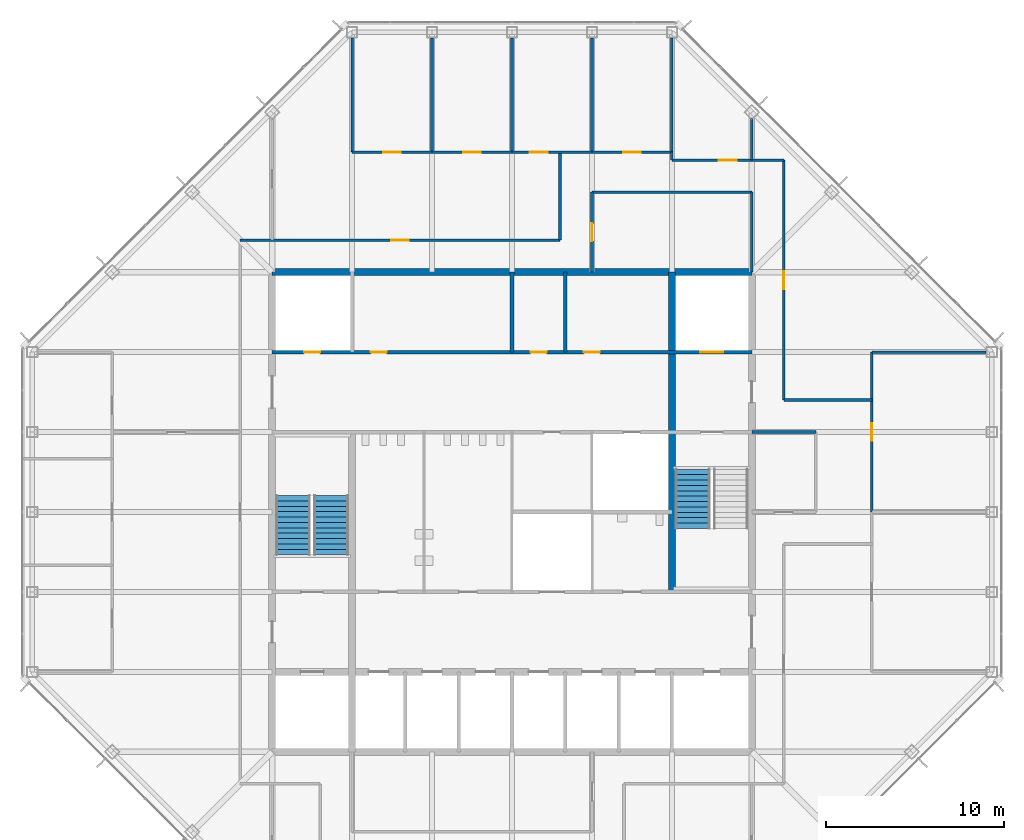
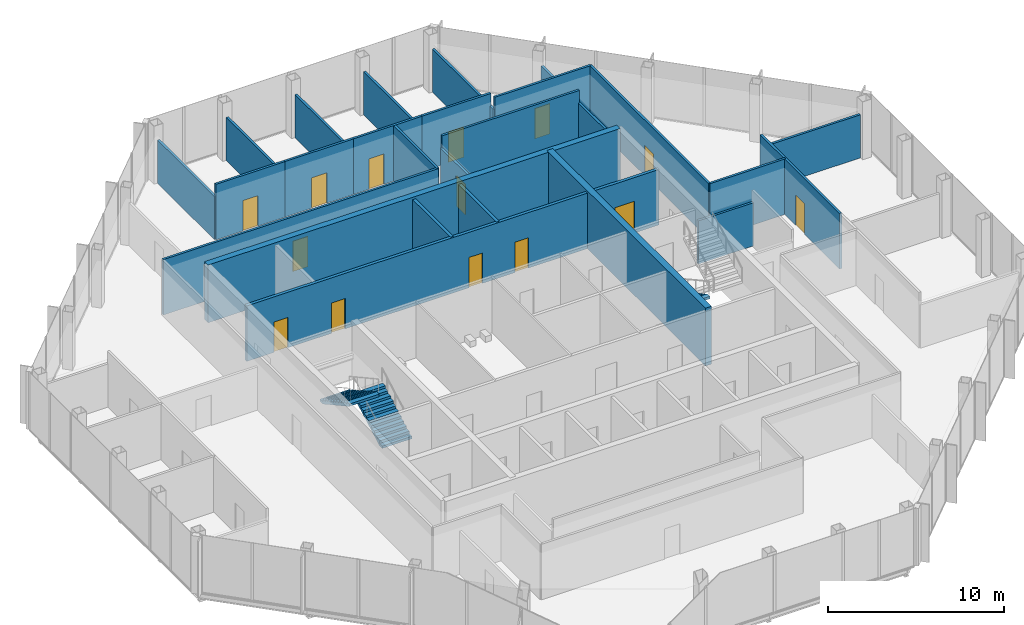
# One storey, part 11 of 14: 27 walls, 14 doors, 3 stair flights, 14 openings, 2 elements without a shape of their own.
"""IFC4 building model written with IfcOpenShell, lengths in metres."""

import ifcopenshell
import ifcopenshell.guid

model = None  # the IFC model being written
_history = None  # IfcOwnerHistory: only IFC2X3 demands one
_inside = {}  # id of a spatial element -> (the spatial element, [elements in it])
_under = {}  # id of a project, library or spatial element -> (it, [spatial elements below it])
_declared = {}  # id of a project -> (the project, [libraries it declares])
_typed = {}  # id of a type object -> (the type object, [elements of that type])
_made_of = {}  # id of a material, layer set ... -> (it, [elements and type objects made of it])


def new_model(schema):
    """Start an empty IFC model of exactly this schema.

    Asked for "IFC4X3", IfcOpenShell would pick the latest addendum, in which some entities
    have other attributes; the version numbers below select the first issue.
    IFC2X3 requires an IfcOwnerHistory on every rooted entity: one is made here for all.
    """
    global model, _history
    if schema == "IFC4X3":
        model = ifcopenshell.file(schema_version=(4, 3, 0, 0))
    else:
        model = ifcopenshell.file(schema=schema)
    _inside.clear()
    _under.clear()
    _declared.clear()
    _typed.clear()
    _made_of.clear()
    _history = None
    if model.schema == "IFC2X3":
        org = make("IfcOrganization", Name="unknown")
        user = make(
            "IfcPersonAndOrganization",
            ThePerson=make("IfcPerson", FamilyName="unknown"),
            TheOrganization=org,
        )
        app = make(
            "IfcApplication",
            ApplicationDeveloper=org,
            Version="unknown",
            ApplicationFullName="unknown",
            ApplicationIdentifier="unknown",
        )
        _history = make(
            "IfcOwnerHistory",
            OwningUser=user,
            OwningApplication=app,
            ChangeAction="ADDED",
            CreationDate=0,
        )
    return model


def make(cls, **values):
    """One entity of the class cls with the attributes given. An attribute that is None is left unset."""
    return model.create_entity(
        cls, **{name: value for name, value in values.items() if value is not None}
    )


def rooted(cls, **values):
    """An entity with a GlobalId (a new one), such as an element, a storey or a relation."""
    return make(cls, GlobalId=ifcopenshell.guid.new(), OwnerHistory=_history, **values)


def si_unit(unit_type, name, prefix=None):
    """IfcSIUnit, for example si_unit("LENGTHUNIT", "METRE", prefix="MILLI")."""
    return make("IfcSIUnit", UnitType=unit_type, Prefix=prefix, Name=name)


def assignment(units):
    """IfcUnitAssignment: the units of a project."""
    return None if units is None else make("IfcUnitAssignment", Units=units)


def point(xyz):
    """IfcCartesianPoint."""
    return None if xyz is None else make("IfcCartesianPoint", Coordinates=xyz)


def direction(xyz):
    """IfcDirection."""
    return None if xyz is None else make("IfcDirection", DirectionRatios=xyz)


def frame(location, z_axis=None, x_axis=None):
    """IfcAxis2Placement3D, a coordinate frame: its origin and axes. An axis left out is left unset."""
    return make(
        "IfcAxis2Placement3D",
        Location=point(location),
        Axis=direction(z_axis),
        RefDirection=direction(x_axis),
    )


def frame_2d(location, x_axis=None):
    """IfcAxis2Placement2D, a coordinate frame in the plane: its origin and x axis."""
    return make(
        "IfcAxis2Placement2D", Location=point(location), RefDirection=direction(x_axis)
    )


def origin():
    """The frame at (0, 0, 0) with its axes left unset."""
    return frame((0.0, 0.0, 0.0))


def place(relative_to, where):
    """IfcLocalPlacement: puts the frame where relative to a parent placement (None: the world)."""
    return make(
        "IfcLocalPlacement", PlacementRelTo=relative_to, RelativePlacement=where
    )


def context(
    kind, dimensions, precision=None, world=None, true_north=None, identifier=None
):
    """IfcGeometricRepresentationContext, for example the 3D "Model" context."""
    return make(
        "IfcGeometricRepresentationContext",
        ContextIdentifier=identifier,
        ContextType=kind,
        CoordinateSpaceDimension=dimensions,
        Precision=precision,
        WorldCoordinateSystem=world,
        TrueNorth=true_north,
    )


def subcontext(parent, identifier, kind, view, scale=None):
    """IfcGeometricRepresentationSubContext, for example "Body" below "Model"."""
    return make(
        "IfcGeometricRepresentationSubContext",
        ContextIdentifier=identifier,
        ContextType=kind,
        ParentContext=parent,
        TargetScale=scale,
        TargetView=view,
    )


def project(units=None, contexts=None):
    """IfcProject with its units and contexts."""
    return rooted(
        "IfcProject",
        Name="project",
        RepresentationContexts=contexts,
        UnitsInContext=assignment(units),
    )


def spatial(cls, under=None, at=None, **own):
    """A site, building, storey or space (cls), placed at a placement, below another one or the project."""
    s = rooted(cls, ObjectPlacement=at, **own)
    if under is not None:
        _under.setdefault(under.id(), (under, []))[1].append(s)
    return s


def polyline(points):
    """IfcPolyline through the points."""
    return make("IfcPolyline", Points=[point(p) for p in points])


def profile(cls, at=None, kind="AREA", **sizes):
    """A parametric profile (cls). Its sizes go by their IFC names, for example OverallWidth=200.0."""
    return make(cls, ProfileType=kind, Position=at, **sizes)


def rectangle(**sizes):
    """IfcRectangleProfileDef."""
    return profile("IfcRectangleProfileDef", **sizes)


def outline(outer, holes=None, kind="AREA"):
    """IfcArbitraryClosedProfileDef: a profile drawn as a closed curve; with holes, ...WithVoids."""
    if holes is None:
        return make("IfcArbitraryClosedProfileDef", ProfileType=kind, OuterCurve=outer)
    return make(
        "IfcArbitraryProfileDefWithVoids",
        ProfileType=kind,
        OuterCurve=outer,
        InnerCurves=holes,
    )


def extrude(swept, where, along, depth):
    """IfcExtrudedAreaSolid: the profile swept, set in the frame where, extruded along a direction by depth."""
    return make(
        "IfcExtrudedAreaSolid",
        SweptArea=swept,
        Position=where,
        ExtrudedDirection=direction(along),
        Depth=depth,
    )


def shape(context_of_items, identifier, shape_type, items):
    """IfcShapeRepresentation: the items that make up one representation, for example the "Body"."""
    return make(
        "IfcShapeRepresentation",
        ContextOfItems=context_of_items,
        RepresentationIdentifier=identifier,
        RepresentationType=shape_type,
        Items=items,
    )


def material(Name=None, Category=None):
    """IfcMaterial."""
    return make("IfcMaterial", Name=Name, Category=Category)


def layer(
    of_material, thickness, ventilated=None, Name=None, Category=None, Priority=None
):
    """IfcMaterialLayer: one layer of a wall or slab, of a material (None: an air gap)."""
    return make(
        "IfcMaterialLayer",
        Material=of_material,
        LayerThickness=thickness,
        IsVentilated=ventilated,
        Name=Name,
        Category=Category,
        Priority=Priority,
    )


def layer_set(layers, Name=None):
    """IfcMaterialLayerSet."""
    return make("IfcMaterialLayerSet", MaterialLayers=layers, LayerSetName=Name)


def made_of(thing, what):
    """Note that an element or type object is made of a material, layer set ...; save() writes the relation."""
    if what is not None:
        _made_of.setdefault(what.id(), (what, []))[1].append(thing)
    return thing


def type_object(cls, material=None, **own):
    """A type object (cls), such as IfcWallType, which elements share."""
    return made_of(rooted(cls, **own), material)


def element(
    cls,
    number,
    at=None,
    inside=None,
    cuts=None,
    type_object=None,
    material=None,
    context=None,
    identifier="Body",
    shape_type=None,
    held_by="IfcProductDefinitionShape",
    body=None,
    shapes=None,
    **own,
):
    """One element of the class cls, such as IfcWall. Its Tag is "e" and its number.

    at: its placement. inside: the storey or other place that contains it. cuts: it is an
    opening in that element (IfcRelVoidsElement). A single representation is given by context,
    identifier, shape_type and body (its items); several are given by shapes. held_by: the class
    of the entity that holds the representations. save() writes the other relations.
    """
    e = rooted(cls, Tag="e%d" % number, ObjectPlacement=at, **own)
    if body is not None:
        shapes = [shape(context, identifier, shape_type, body)]
    if shapes is not None:
        e.Representation = make(held_by, Representations=shapes)
    if inside is not None:
        _inside.setdefault(inside.id(), (inside, []))[1].append(e)
    if cuts is not None:
        rooted(
            "IfcRelVoidsElement", RelatingBuildingElement=cuts, RelatedOpeningElement=e
        )
    if type_object is not None:
        _typed.setdefault(type_object.id(), (type_object, []))[1].append(e)
    return made_of(e, material)


def fill(opening, filler):
    """IfcRelFillsElement: the door or window that sits in an opening."""
    return rooted(
        "IfcRelFillsElement",
        RelatingOpeningElement=opening,
        RelatedBuildingElement=filler,
    )


def aggregate(whole, parts):
    """IfcRelAggregates: a whole, such as a stair, and the parts it consists of."""
    return rooted("IfcRelAggregates", RelatingObject=whole, RelatedObjects=parts)


def save(model, path):
    """Write the relations noted so far, then the file.

    IfcRelAggregates (storeys below a building ...), IfcRelContainedInSpatialStructure (elements
    in a storey), IfcRelDefinesByType, IfcRelAssociatesMaterial and IfcRelDeclares: one each for
    every whole, place, type object, material and project.
    """
    for whole, parts in _under.values():
        aggregate(whole, parts)
    for where, things in _inside.values():
        rooted(
            "IfcRelContainedInSpatialStructure",
            RelatedElements=things,
            RelatingStructure=where,
        )
    for kind, things in _typed.values():
        rooted("IfcRelDefinesByType", RelatedObjects=things, RelatingType=kind)
    for what, things in _made_of.values():
        rooted("IfcRelAssociatesMaterial", RelatedObjects=things, RelatingMaterial=what)
    for by, libraries in _declared.values():
        rooted("IfcRelDeclares", RelatingContext=by, RelatedDefinitions=libraries)
    model.write(path)


model = new_model("IFC4")

# Units and contexts
model_context = context("Model", 3, precision=1e-05, world=origin(), true_north=direction((0.0, 1.0)))
body_context = subcontext(model_context, "Body", "Model", "MODEL_VIEW")
ifc_project = project(units=[si_unit("LENGTHUNIT", "METRE"), si_unit("AREAUNIT", "SQUARE_METRE"), si_unit("VOLUMEUNIT", "CUBIC_METRE"), si_unit("PLANEANGLEUNIT", "RADIAN"), si_unit("MASSUNIT", "GRAM", prefix="KILO")], contexts=[model_context])

# Site, building, storey
site_placement = place(None, origin())
site = spatial("IfcSite", under=ifc_project, at=site_placement, CompositionType="ELEMENT")
building_placement = place(site_placement, origin())
building = spatial("IfcBuilding", under=site, at=building_placement, Name="Corais Broadcast Tower", CompositionType="ELEMENT")
storey_placement = place(building_placement, frame((0.0, 0.0, 286.60009765625)))
storey = spatial("IfcBuildingStorey", under=building, at=storey_placement, Name="L67", CompositionType="ELEMENT", Elevation=286.60009765625)

# Walls
ifc_material_1 = material(Name="Concrete C50/60", Category="concrete")
ifc_layer_1 = layer(ifc_material_1, 0.39990234375)
ifc_layer_set_1 = layer_set([ifc_layer_1], Name="Concrete C50/60")
wall_type_1 = type_object("IfcWallType", Name="Core wall 400", PredefinedType="SHEAR", material=ifc_layer_set_1)
wall_1_placement = place(storey_placement, frame((40.5, 40.5, 0.0), z_axis=(0.0, 0.0, 1.0), x_axis=(-1.0, 0.0, 0.0)))
element("IfcWall", 1, at=wall_1_placement, inside=storey, type_object=wall_type_1, Name="CR400 core wall N L67", PredefinedType="SHEAR", context=body_context, shape_type="SweptSolid", body=[
    extrude(rectangle(XDim=27.0, YDim=0.39990234375, at=frame_2d((13.5, 0.0))), origin(), (0.0, 0.0, 1.0), 4.0),
])
wall_2_placement = place(storey_placement, frame((36.0, 22.5, 0.0), z_axis=(0.0, 0.0, 1.0), x_axis=(0.0, 1.0, 0.0)))
element("IfcWall", 2, at=wall_2_placement, inside=storey, type_object=wall_type_1, Name="CR400 core wall X36B L67", PredefinedType="SHEAR", context=body_context, shape_type="SweptSolid", body=[
    extrude(rectangle(XDim=18.0, YDim=0.39990234375, at=frame_2d((9.0, 0.0))), origin(), (0.0, 0.0, 1.0), 4.0),
])

# Wall, openings, doors
ifc_material_2 = material(Name="Concrete blockwork class A, grouted, four-hour", Category="masonry")
ifc_layer_2 = layer(ifc_material_2, 0.199951171875)
ifc_layer_set_2 = layer_set([ifc_layer_2], Name="Concrete blockwork class A, grouted, four-hour")
wall_type_2 = type_object("IfcWallType", Name="Emergency lift shaft wall 200", PredefinedType="SOLIDWALL", material=ifc_layer_set_2)
wall_3_placement = place(storey_placement, frame((13.5, 36.0, 0.0), z_axis=(0.0, 0.0, 1.0), x_axis=(1.0, 0.0, 0.0)))
wall_3 = element("IfcWall", 3, at=wall_3_placement, inside=storey, type_object=wall_type_2, Name="LS3 core lobby wall Y36 L67", PredefinedType="SOLIDWALL", context=body_context, shape_type="SweptSolid", body=[
    extrude(rectangle(XDim=27.0, YDim=0.199951171875, at=frame_2d((13.5, 0.0))), origin(), (0.0, 0.0, 1.0), 3.83984375),
])
opening_1_placement = place(wall_3_placement, frame((1.800048828125, 0.0, 0.0)))
opening_1 = element("IfcOpeningElement", 4, at=opening_1_placement, cuts=wall_3, Name="Opening RD1", PredefinedType="OPENING", context=body_context, shape_type="SweptSolid", body=[
    extrude(rectangle(XDim=0.89990234375, YDim=2.10009765625, at=frame_2d((0.449951171875, 1.050048828125))), frame((0.0, 0.10986328125, 0.0), z_axis=(0.0, -1.0, 0.0), x_axis=(1.0, 0.0, 0.0)), (0.0, 0.0, 1.0), 0.219970703125),
])
opening_2_placement = place(wall_3_placement, frame((5.550048828125, 0.0, 0.0)))
opening_2 = element("IfcOpeningElement", 5, at=opening_2_placement, cuts=wall_3, Name="Opening RD1", PredefinedType="OPENING", context=body_context, shape_type="SweptSolid", body=[
    extrude(rectangle(XDim=0.89990234375, YDim=2.10009765625, at=frame_2d((0.449951171875, 1.050048828125))), frame((0.0, 0.10986328125, 0.0), z_axis=(0.0, -1.0, 0.0), x_axis=(1.0, 0.0, 0.0)), (0.0, 0.0, 1.0), 0.219970703125),
])
opening_3_placement = place(wall_3_placement, frame((14.550048828125, 0.0, 0.0)))
opening_3 = element("IfcOpeningElement", 6, at=opening_3_placement, cuts=wall_3, Name="Opening RD1", PredefinedType="OPENING", context=body_context, shape_type="SweptSolid", body=[
    extrude(rectangle(XDim=0.89990234375, YDim=2.10009765625, at=frame_2d((0.449951171875, 1.050048828125))), frame((0.0, 0.10986328125, 0.0), z_axis=(0.0, -1.0, 0.0), x_axis=(1.0, 0.0, 0.0)), (0.0, 0.0, 1.0), 0.219970703125),
])
opening_4_placement = place(wall_3_placement, frame((17.550048828125, 0.0, 0.0)))
opening_4 = element("IfcOpeningElement", 7, at=opening_4_placement, cuts=wall_3, Name="Opening RD1", PredefinedType="OPENING", context=body_context, shape_type="SweptSolid", body=[
    extrude(rectangle(XDim=0.89990234375, YDim=2.10009765625, at=frame_2d((0.449951171875, 1.050048828125))), frame((0.0, 0.10986328125, 0.0), z_axis=(0.0, -1.0, 0.0), x_axis=(1.0, 0.0, 0.0)), (0.0, 0.0, 1.0), 0.219970703125),
])
opening_5_placement = place(wall_3_placement, frame((24.10009765625, 0.0, 0.0)))
opening_5 = element("IfcOpeningElement", 8, at=opening_5_placement, cuts=wall_3, Name="Opening LD2", PredefinedType="OPENING", context=body_context, shape_type="SweptSolid", body=[
    extrude(rectangle(XDim=1.300048828125, YDim=2.199951171875, at=frame_2d((0.64990234375, 1.10009765625))), frame((0.0, 0.10986328125, 0.0), z_axis=(0.0, -1.0, 0.0), x_axis=(1.0, 0.0, 0.0)), (0.0, 0.0, 1.0), 0.219970703125),
])
ifc_material_3 = material(Name="Stainless steel lift door", Category="steel")
door_type_1 = type_object("IfcDoorType", Name="Lift landing door 1300x2200", OperationType="SLIDING_TO_LEFT", PredefinedType="DOOR", material=ifc_material_3)
door_1_placement = place(opening_5_placement, origin())
door_1 = element("IfcDoor", 9, at=door_1_placement, inside=storey, type_object=door_type_1, Name="LD2 FL2 landing door L67", OperationType="SLIDING_TO_LEFT", OverallHeight=2.199951171875, OverallWidth=1.300048828125, PredefinedType="DOOR", context=body_context, shape_type="SweptSolid", body=[
    extrude(rectangle(XDim=1.300048828125, YDim=2.199951171875, at=frame_2d((0.64990234375, 1.10009765625))), frame((0.0, 0.02490234375, 0.0), z_axis=(0.0, -1.0, 0.0), x_axis=(1.0, 0.0, 0.0)), (0.0, 0.0, 1.0), 0.050048828125),
])
fill(opening_5, door_1)
ifc_material_4 = material(Name="Steel fire door", Category="steel")
door_type_2 = type_object("IfcDoorType", Name="Riser door 900x2100", OperationType="SINGLE_SWING_LEFT", PredefinedType="DOOR", material=ifc_material_4)
door_2_placement = place(opening_1_placement, origin())
door_2 = element("IfcDoor", 10, at=door_2_placement, inside=storey, type_object=door_type_2, Name="RD1 riser door L67", OperationType="SINGLE_SWING_LEFT", OverallHeight=2.10009765625, OverallWidth=0.89990234375, PredefinedType="DOOR", context=body_context, shape_type="SweptSolid", body=[
    extrude(rectangle(XDim=0.89990234375, YDim=2.10009765625, at=frame_2d((0.449951171875, 1.050048828125))), frame((0.0, 0.02490234375, 0.0), z_axis=(0.0, -1.0, 0.0), x_axis=(1.0, 0.0, 0.0)), (0.0, 0.0, 1.0), 0.050048828125),
])
fill(opening_1, door_2)
door_3_placement = place(opening_2_placement, origin())
door_3 = element("IfcDoor", 11, at=door_3_placement, inside=storey, type_object=door_type_2, Name="RD1 wellness room door L67", OperationType="SINGLE_SWING_LEFT", OverallHeight=2.10009765625, OverallWidth=0.89990234375, PredefinedType="DOOR", context=body_context, shape_type="SweptSolid", body=[
    extrude(rectangle(XDim=0.89990234375, YDim=2.10009765625, at=frame_2d((0.449951171875, 1.050048828125))), frame((0.0, 0.02490234375, 0.0), z_axis=(0.0, -1.0, 0.0), x_axis=(1.0, 0.0, 0.0)), (0.0, 0.0, 1.0), 0.050048828125),
])
fill(opening_2, door_3)
door_4_placement = place(opening_3_placement, origin())
door_4 = element("IfcDoor", 12, at=door_4_placement, inside=storey, type_object=door_type_2, Name="RD1 first aid room door L67", OperationType="SINGLE_SWING_RIGHT", OverallHeight=2.10009765625, OverallWidth=0.89990234375, PredefinedType="DOOR", context=body_context, shape_type="SweptSolid", body=[
    extrude(rectangle(XDim=0.89990234375, YDim=2.10009765625, at=frame_2d((0.449951171875, 1.050048828125))), frame((0.0, 0.02490234375, 0.0), z_axis=(0.0, -1.0, 0.0), x_axis=(1.0, 0.0, 0.0)), (0.0, 0.0, 1.0), 0.050048828125),
])
fill(opening_3, door_4)
door_5_placement = place(opening_4_placement, origin())
door_5 = element("IfcDoor", 13, at=door_5_placement, inside=storey, type_object=door_type_2, Name="RD1 stationery store door L67", OperationType="SINGLE_SWING_RIGHT", OverallHeight=2.10009765625, OverallWidth=0.89990234375, PredefinedType="DOOR", context=body_context, shape_type="SweptSolid", body=[
    extrude(rectangle(XDim=0.89990234375, YDim=2.10009765625, at=frame_2d((0.449951171875, 1.050048828125))), frame((0.0, 0.02490234375, 0.0), z_axis=(0.0, -1.0, 0.0), x_axis=(1.0, 0.0, 0.0)), (0.0, 0.0, 1.0), 0.050048828125),
])
fill(opening_4, door_5)

# Wall, opening, door
ifc_material_5 = material(Name="Gypsum board on steel studs", Category="steel")
ifc_layer_3 = layer(ifc_material_5, 0.14990234375)
ifc_layer_set_3 = layer_set([ifc_layer_3], Name="Gypsum board on steel studs")
wall_type_3 = type_object("IfcWallType", Name="Partition 150", PredefinedType="PARTITIONING", material=ifc_layer_set_3)
wall_4_placement = place(storey_placement, frame((29.699951171875, 42.300048828125, 0.0), z_axis=(0.0, 0.0, 1.0), x_axis=(-1.0, 0.0, 0.0)))
wall_4 = element("IfcWall", 14, at=wall_4_placement, inside=storey, type_object=wall_type_3, Name="IW3 corridor wall L67", PredefinedType="PARTITIONING", context=body_context, shape_type="SweptSolid", body=[
    extrude(rectangle(XDim=18.0, YDim=0.14990234375, at=frame_2d((9.0, 0.0))), origin(), (0.0, 0.0, 1.0), 3.83984375),
])
opening_6_placement = place(wall_4_placement, frame((8.5, 0.0, 0.0)))
opening_6 = element("IfcOpeningElement", 15, at=opening_6_placement, cuts=wall_4, Name="Opening D1", PredefinedType="OPENING", context=body_context, shape_type="SweptSolid", body=[
    extrude(rectangle(XDim=1.0, YDim=2.10009765625, at=frame_2d((0.5, 1.050048828125))), frame((0.0, 0.0849609375, 0.0), z_axis=(0.0, -1.0, 0.0), x_axis=(1.0, 0.0, 0.0)), (0.0, 0.0, 1.0), 0.169921875),
])
ifc_material_6 = material(Name="Timber door", Category="wood")
door_type_3 = type_object("IfcDoorType", Name="Single door 1000x2100", OperationType="SINGLE_SWING_LEFT", PredefinedType="DOOR", material=ifc_material_6)
door_6_placement = place(opening_6_placement, origin())
door_6 = element("IfcDoor", 16, at=door_6_placement, inside=storey, type_object=door_type_3, Name="D1 workplace door L67", OperationType="SINGLE_SWING_LEFT", OverallHeight=2.10009765625, OverallWidth=1.0, PredefinedType="DOOR", context=body_context, shape_type="SweptSolid", body=[
    extrude(rectangle(XDim=1.0, YDim=2.10009765625, at=frame_2d((0.5, 1.050048828125))), frame((0.0, 0.02490234375, 0.0), z_axis=(0.0, -1.0, 0.0), x_axis=(1.0, 0.0, 0.0)), (0.0, 0.0, 1.0), 0.050048828125),
])
fill(opening_6, door_6)

# Wall
wall_5_placement = place(storey_placement, frame((29.699951171875, 47.25, 0.0), z_axis=(0.0, 0.0, 1.0), x_axis=(0.0, -1.0, 0.0)))
element("IfcWall", 17, at=wall_5_placement, inside=storey, type_object=wall_type_3, Name="IW3 corridor wall L67", PredefinedType="PARTITIONING", context=body_context, shape_type="SweptSolid", body=[
    extrude(rectangle(XDim=4.949951171875, YDim=0.14990234375, at=frame_2d((2.47509765625, 0.0))), origin(), (0.0, 0.0, 1.0), 3.83984375),
])

# Wall, opening, door
wall_6_placement = place(storey_placement, frame((42.300048828125, 33.300048828125, 0.0), z_axis=(0.0, 0.0, 1.0), x_axis=(0.0, 1.0, 0.0)))
wall_6 = element("IfcWall", 18, at=wall_6_placement, inside=storey, type_object=wall_type_3, Name="IW3 corridor wall L67", PredefinedType="PARTITIONING", context=body_context, shape_type="SweptSolid", body=[
    extrude(rectangle(XDim=13.5, YDim=0.14990234375, at=frame_2d((6.75, 0.0))), origin(), (0.0, 0.0, 1.0), 3.83984375),
])
opening_7_placement = place(wall_6_placement, frame((6.25, 0.0, 0.0)))
opening_7 = element("IfcOpeningElement", 19, at=opening_7_placement, cuts=wall_6, Name="Opening D1", PredefinedType="OPENING", context=body_context, shape_type="SweptSolid", body=[
    extrude(rectangle(XDim=1.0, YDim=2.10009765625, at=frame_2d((0.5, 1.050048828125))), frame((0.0, 0.0849609375, 0.0), z_axis=(0.0, -1.0, 0.0), x_axis=(1.0, 0.0, 0.0)), (0.0, 0.0, 1.0), 0.169921875),
])
door_7_placement = place(opening_7_placement, origin())
door_7 = element("IfcDoor", 20, at=door_7_placement, inside=storey, type_object=door_type_3, Name="D1 workplace door L67", OperationType="SINGLE_SWING_LEFT", OverallHeight=2.10009765625, OverallWidth=1.0, PredefinedType="DOOR", context=body_context, shape_type="SweptSolid", body=[
    extrude(rectangle(XDim=1.0, YDim=2.10009765625, at=frame_2d((0.5, 1.050048828125))), frame((0.0, 0.02490234375, 0.0), z_axis=(0.0, -1.0, 0.0), x_axis=(1.0, 0.0, 0.0)), (0.0, 0.0, 1.0), 0.050048828125),
])
fill(opening_7, door_7)

wall_7_placement = place(storey_placement, frame((42.300048828125, 46.800048828125, 0.0), z_axis=(0.0, 0.0, 1.0), x_axis=(-1.0, 0.0, 0.0)))
wall_7 = element("IfcWall", 21, at=wall_7_placement, inside=storey, type_object=wall_type_3, Name="IW3 corridor wall L67", PredefinedType="PARTITIONING", context=body_context, shape_type="SweptSolid", body=[
    extrude(rectangle(XDim=6.300048828125, YDim=0.14990234375, at=frame_2d((3.14990234375, 0.0))), origin(), (0.0, 0.0, 1.0), 3.83984375),
])
opening_8_placement = place(wall_7_placement, frame((2.64990234375, 0.0, 0.0)))
opening_8 = element("IfcOpeningElement", 22, at=opening_8_placement, cuts=wall_7, Name="Opening D1", PredefinedType="OPENING", context=body_context, shape_type="SweptSolid", body=[
    extrude(rectangle(XDim=1.0, YDim=2.10009765625, at=frame_2d((0.5, 1.050048828125))), frame((0.0, 0.0849609375, 0.0), z_axis=(0.0, -1.0, 0.0), x_axis=(1.0, 0.0, 0.0)), (0.0, 0.0, 1.0), 0.169921875),
])
door_8_placement = place(opening_8_placement, origin())
door_8 = element("IfcDoor", 23, at=door_8_placement, inside=storey, type_object=door_type_3, Name="D1 workplace door L67", OperationType="SINGLE_SWING_LEFT", OverallHeight=2.10009765625, OverallWidth=1.0, PredefinedType="DOOR", context=body_context, shape_type="SweptSolid", body=[
    extrude(rectangle(XDim=1.0, YDim=2.10009765625, at=frame_2d((0.5, 1.050048828125))), frame((0.0, 0.02490234375, 0.0), z_axis=(0.0, -1.0, 0.0), x_axis=(1.0, 0.0, 0.0)), (0.0, 0.0, 1.0), 0.050048828125),
])
fill(opening_8, door_8)

# Walls
wall_8_placement = place(storey_placement, frame((47.25, 33.300048828125, 0.0), z_axis=(0.0, 0.0, 1.0), x_axis=(-1.0, 0.0, 0.0)))
element("IfcWall", 24, at=wall_8_placement, inside=storey, type_object=wall_type_3, Name="IW3 corridor wall L67", PredefinedType="PARTITIONING", context=body_context, shape_type="SweptSolid", body=[
    extrude(rectangle(XDim=4.949951171875, YDim=0.14990234375, at=frame_2d((2.47509765625, 0.0))), origin(), (0.0, 0.0, 1.0), 3.83984375),
])
wall_9_placement = place(storey_placement, frame((36.0, 46.800048828125, 0.0), z_axis=(0.0, 0.0, 1.0), x_axis=(0.0, 1.0, 0.0)))
element("IfcWall", 25, at=wall_9_placement, inside=storey, type_object=wall_type_3, Name="IW3 corridor wall L67", PredefinedType="PARTITIONING", context=body_context, shape_type="SweptSolid", body=[
    extrude(rectangle(XDim=0.4599609375, YDim=0.14990234375, at=frame_2d((0.22998046875, 0.0))), origin(), (0.0, 0.0, 1.0), 2.989013671875),
])
wall_10_placement = place(storey_placement, frame((40.5, 40.5, 0.0), z_axis=(0.0, 0.0, 1.0), x_axis=(0.0, 1.0, 0.0)))
element("IfcWall", 26, at=wall_10_placement, inside=storey, type_object=wall_type_3, Name="IW3 partition L67", PredefinedType="PARTITIONING", context=body_context, shape_type="SweptSolid", body=[
    extrude(rectangle(XDim=4.5, YDim=0.14990234375, at=frame_2d((2.25, 0.0))), origin(), (0.0, 0.0, 1.0), 2.989013671875),
])
wall_11_placement = place(storey_placement, frame((40.5, 45.0, 0.0), z_axis=(0.0, 0.0, 1.0), x_axis=(-1.0, 0.0, 0.0)))
element("IfcWall", 27, at=wall_11_placement, inside=storey, type_object=wall_type_3, Name="IW3 partition L67", PredefinedType="PARTITIONING", context=body_context, shape_type="SweptSolid", body=[
    extrude(rectangle(XDim=9.0, YDim=0.14990234375, at=frame_2d((4.5, 0.0))), origin(), (0.0, 0.0, 1.0), 3.83984375),
])

# Wall, opening, door
wall_12_placement = place(storey_placement, frame((31.5, 45.0, 0.0), z_axis=(0.0, 0.0, 1.0), x_axis=(0.0, -1.0, 0.0)))
wall_12 = element("IfcWall", 28, at=wall_12_placement, inside=storey, type_object=wall_type_3, Name="IW3 partition L67", PredefinedType="PARTITIONING", context=body_context, shape_type="SweptSolid", body=[
    extrude(rectangle(XDim=4.5, YDim=0.14990234375, at=frame_2d((2.25, 0.0))), origin(), (0.0, 0.0, 1.0), 2.989013671875),
])
opening_9_placement = place(wall_12_placement, frame((1.75, 0.0, 0.0)))
opening_9 = element("IfcOpeningElement", 29, at=opening_9_placement, cuts=wall_12, Name="Opening D1", PredefinedType="OPENING", context=body_context, shape_type="SweptSolid", body=[
    extrude(rectangle(XDim=1.0, YDim=2.10009765625, at=frame_2d((0.5, 1.050048828125))), frame((0.0, 0.0849609375, 0.0), z_axis=(0.0, -1.0, 0.0), x_axis=(1.0, 0.0, 0.0)), (0.0, 0.0, 1.0), 0.169921875),
])
door_9_placement = place(opening_9_placement, origin())
door_9 = element("IfcDoor", 30, at=door_9_placement, inside=storey, type_object=door_type_3, Name="D1 Secretariat workroom door", OperationType="SINGLE_SWING_LEFT", OverallHeight=2.10009765625, OverallWidth=1.0, PredefinedType="DOOR", context=body_context, shape_type="SweptSolid", body=[
    extrude(rectangle(XDim=1.0, YDim=2.10009765625, at=frame_2d((0.5, 1.050048828125))), frame((0.0, 0.02490234375, 0.0), z_axis=(0.0, -1.0, 0.0), x_axis=(1.0, 0.0, 0.0)), (0.0, 0.0, 1.0), 0.050048828125),
])
fill(opening_9, door_9)

# Walls
wall_13_placement = place(storey_placement, frame((44.10009765625, 31.5, 0.0), z_axis=(0.0, 0.0, 1.0), x_axis=(-1.0, 0.0, 0.0)))
element("IfcWall", 31, at=wall_13_placement, inside=storey, type_object=wall_type_3, Name="IW3 partition L67", PredefinedType="PARTITIONING", context=body_context, shape_type="SweptSolid", body=[
    extrude(rectangle(XDim=3.60009765625, YDim=0.14990234375, at=frame_2d((1.800048828125, 0.0))), origin(), (0.0, 0.0, 1.0), 2.989013671875),
])
wall_14_placement = place(storey_placement, frame((53.68994140625, 36.0, 0.0), z_axis=(0.0, 0.0, 1.0), x_axis=(-1.0, 0.0, 0.0)))
element("IfcWall", 32, at=wall_14_placement, inside=storey, type_object=wall_type_3, Name="IW3 partition L67", PredefinedType="PARTITIONING", context=body_context, shape_type="SweptSolid", body=[
    extrude(rectangle(XDim=6.43994140625, YDim=0.14990234375, at=frame_2d((3.219970703125, 0.0))), origin(), (0.0, 0.0, 1.0), 2.989013671875),
])

# Wall, opening, door
wall_15_placement = place(storey_placement, frame((47.25, 36.0, 0.0), z_axis=(0.0, 0.0, 1.0), x_axis=(0.0, -1.0, 0.0)))
wall_15 = element("IfcWall", 33, at=wall_15_placement, inside=storey, type_object=wall_type_3, Name="IW3 partition L67", PredefinedType="PARTITIONING", context=body_context, shape_type="SweptSolid", body=[
    extrude(rectangle(XDim=9.0, YDim=0.14990234375, at=frame_2d((4.5, 0.0))), origin(), (0.0, 0.0, 1.0), 3.83984375),
])
opening_10_placement = place(wall_15_placement, frame((4.0, 0.0, 0.0)))
opening_10 = element("IfcOpeningElement", 34, at=opening_10_placement, cuts=wall_15, Name="Opening D1", PredefinedType="OPENING", context=body_context, shape_type="SweptSolid", body=[
    extrude(rectangle(XDim=1.0, YDim=2.10009765625, at=frame_2d((0.5, 1.050048828125))), frame((0.0, 0.0849609375, 0.0), z_axis=(0.0, -1.0, 0.0), x_axis=(1.0, 0.0, 0.0)), (0.0, 0.0, 1.0), 0.169921875),
])
door_10_placement = place(opening_10_placement, origin())
door_10 = element("IfcDoor", 35, at=door_10_placement, inside=storey, type_object=door_type_3, Name="D1 Counsel suite door", OperationType="SINGLE_SWING_LEFT", OverallHeight=2.10009765625, OverallWidth=1.0, PredefinedType="DOOR", context=body_context, shape_type="SweptSolid", body=[
    extrude(rectangle(XDim=1.0, YDim=2.10009765625, at=frame_2d((0.5, 1.050048828125))), frame((0.0, 0.02490234375, 0.0), z_axis=(0.0, -1.0, 0.0), x_axis=(1.0, 0.0, 0.0)), (0.0, 0.0, 1.0), 0.050048828125),
])
fill(opening_10, door_10)

wall_16_placement = place(storey_placement, frame((18.0, 47.25, 0.0), z_axis=(0.0, 0.0, 1.0), x_axis=(1.0, 0.0, 0.0)))
wall_16 = element("IfcWall", 36, at=wall_16_placement, inside=storey, type_object=wall_type_3, Name="IW3 partition L67", PredefinedType="PARTITIONING", context=body_context, shape_type="SweptSolid", body=[
    extrude(rectangle(XDim=4.5, YDim=0.14990234375, at=frame_2d((2.25, 0.0))), origin(), (0.0, 0.0, 1.0), 3.83984375),
])
opening_11_placement = place(wall_16_placement, frame((1.75, 0.0, 0.0)))
opening_11 = element("IfcOpeningElement", 37, at=opening_11_placement, cuts=wall_16, Name="Opening D1", PredefinedType="OPENING", context=body_context, shape_type="SweptSolid", body=[
    extrude(rectangle(XDim=1.0, YDim=2.10009765625, at=frame_2d((0.5, 1.050048828125))), frame((0.0, 0.0849609375, 0.0), z_axis=(0.0, -1.0, 0.0), x_axis=(1.0, 0.0, 0.0)), (0.0, 0.0, 1.0), 0.169921875),
])
door_11_placement = place(opening_11_placement, origin())
door_11 = element("IfcDoor", 38, at=door_11_placement, inside=storey, type_object=door_type_3, Name="D1 Interview room door", OperationType="SINGLE_SWING_LEFT", OverallHeight=2.10009765625, OverallWidth=1.0, PredefinedType="DOOR", context=body_context, shape_type="SweptSolid", body=[
    extrude(rectangle(XDim=1.0, YDim=2.10009765625, at=frame_2d((0.5, 1.050048828125))), frame((0.0, 0.02490234375, 0.0), z_axis=(0.0, -1.0, 0.0), x_axis=(1.0, 0.0, 0.0)), (0.0, 0.0, 1.0), 0.050048828125),
])
fill(opening_11, door_11)

# Walls
for number, where, z_axis, x_axis, name in (
    (39, (22.5, 47.25, 0.0), (0.0, 0.0, 1.0), (0.0, 1.0, 0.0), "IW3 partition L67"),
    (40, (18.0, 53.68994140625, 0.0), (0.0, 0.0, 1.0), (0.0, -1.0, 0.0), "IW3 partition L67"),
):
    element("IfcWall", number, at=place(storey_placement, frame(where, z_axis=z_axis, x_axis=x_axis)), inside=storey, type_object=wall_type_3, Name=name, PredefinedType="PARTITIONING", context=body_context, shape_type="SweptSolid", body=[
        extrude(rectangle(XDim=6.43994140625, YDim=0.14990234375, at=frame_2d((3.219970703125, 0.0))), origin(), (0.0, 0.0, 1.0), 2.989013671875),
    ])

# Wall, opening, door
wall_17_placement = place(storey_placement, frame((22.5, 47.25, 0.0), z_axis=(0.0, 0.0, 1.0), x_axis=(1.0, 0.0, 0.0)))
wall_17 = element("IfcWall", 41, at=wall_17_placement, inside=storey, type_object=wall_type_3, Name="IW3 partition L67", PredefinedType="PARTITIONING", context=body_context, shape_type="SweptSolid", body=[
    extrude(rectangle(XDim=4.5, YDim=0.14990234375, at=frame_2d((2.25, 0.0))), origin(), (0.0, 0.0, 1.0), 3.83984375),
])
opening_12_placement = place(wall_17_placement, frame((1.75, 0.0, 0.0)))
opening_12 = element("IfcOpeningElement", 42, at=opening_12_placement, cuts=wall_17, Name="Opening D1", PredefinedType="OPENING", context=body_context, shape_type="SweptSolid", body=[
    extrude(rectangle(XDim=1.0, YDim=2.10009765625, at=frame_2d((0.5, 1.050048828125))), frame((0.0, 0.0849609375, 0.0), z_axis=(0.0, -1.0, 0.0), x_axis=(1.0, 0.0, 0.0)), (0.0, 0.0, 1.0), 0.169921875),
])
door_12_placement = place(opening_12_placement, origin())
door_12 = element("IfcDoor", 43, at=door_12_placement, inside=storey, type_object=door_type_3, Name="D1 Interview room door", OperationType="SINGLE_SWING_LEFT", OverallHeight=2.10009765625, OverallWidth=1.0, PredefinedType="DOOR", context=body_context, shape_type="SweptSolid", body=[
    extrude(rectangle(XDim=1.0, YDim=2.10009765625, at=frame_2d((0.5, 1.050048828125))), frame((0.0, 0.02490234375, 0.0), z_axis=(0.0, -1.0, 0.0), x_axis=(1.0, 0.0, 0.0)), (0.0, 0.0, 1.0), 0.050048828125),
])
fill(opening_12, door_12)

# Wall
wall_18_placement = place(storey_placement, frame((27.0, 47.25, 0.0), z_axis=(0.0, 0.0, 1.0), x_axis=(0.0, 1.0, 0.0)))
element("IfcWall", 44, at=wall_18_placement, inside=storey, type_object=wall_type_3, Name="IW3 partition L67", PredefinedType="PARTITIONING", context=body_context, shape_type="SweptSolid", body=[
    extrude(rectangle(XDim=6.43994140625, YDim=0.14990234375, at=frame_2d((3.219970703125, 0.0))), origin(), (0.0, 0.0, 1.0), 2.989013671875),
])

# Wall, opening, door
wall_19_placement = place(storey_placement, frame((27.0, 47.25, 0.0), z_axis=(0.0, 0.0, 1.0), x_axis=(1.0, 0.0, 0.0)))
wall_19 = element("IfcWall", 45, at=wall_19_placement, inside=storey, type_object=wall_type_3, Name="IW3 partition L67", PredefinedType="PARTITIONING", context=body_context, shape_type="SweptSolid", body=[
    extrude(rectangle(XDim=4.5, YDim=0.14990234375, at=frame_2d((2.25, 0.0))), origin(), (0.0, 0.0, 1.0), 3.83984375),
])
opening_13_placement = place(wall_19_placement, frame((1.0, 0.0, 0.0)))
opening_13 = element("IfcOpeningElement", 46, at=opening_13_placement, cuts=wall_19, Name="Opening D1", PredefinedType="OPENING", context=body_context, shape_type="SweptSolid", body=[
    extrude(rectangle(XDim=1.0, YDim=2.10009765625, at=frame_2d((0.5, 1.050048828125))), frame((0.0, 0.0849609375, 0.0), z_axis=(0.0, -1.0, 0.0), x_axis=(1.0, 0.0, 0.0)), (0.0, 0.0, 1.0), 0.169921875),
])
door_13_placement = place(opening_13_placement, origin())
door_13 = element("IfcDoor", 47, at=door_13_placement, inside=storey, type_object=door_type_3, Name="D1 Interview room door", OperationType="SINGLE_SWING_LEFT", OverallHeight=2.10009765625, OverallWidth=1.0, PredefinedType="DOOR", context=body_context, shape_type="SweptSolid", body=[
    extrude(rectangle(XDim=1.0, YDim=2.10009765625, at=frame_2d((0.5, 1.050048828125))), frame((0.0, 0.02490234375, 0.0), z_axis=(0.0, -1.0, 0.0), x_axis=(1.0, 0.0, 0.0)), (0.0, 0.0, 1.0), 0.050048828125),
])
fill(opening_13, door_13)

# Wall
wall_20_placement = place(storey_placement, frame((31.5, 47.25, 0.0), z_axis=(0.0, 0.0, 1.0), x_axis=(0.0, 1.0, 0.0)))
element("IfcWall", 48, at=wall_20_placement, inside=storey, type_object=wall_type_3, Name="IW3 partition L67", PredefinedType="PARTITIONING", context=body_context, shape_type="SweptSolid", body=[
    extrude(rectangle(XDim=6.43994140625, YDim=0.14990234375, at=frame_2d((3.219970703125, 0.0))), origin(), (0.0, 0.0, 1.0), 2.989013671875),
])

# Wall, opening, door
wall_21_placement = place(storey_placement, frame((31.5, 47.25, 0.0), z_axis=(0.0, 0.0, 1.0), x_axis=(1.0, 0.0, 0.0)))
wall_21 = element("IfcWall", 49, at=wall_21_placement, inside=storey, type_object=wall_type_3, Name="IW3 partition L67", PredefinedType="PARTITIONING", context=body_context, shape_type="SweptSolid", body=[
    extrude(rectangle(XDim=4.5, YDim=0.14990234375, at=frame_2d((2.25, 0.0))), origin(), (0.0, 0.0, 1.0), 3.83984375),
])
opening_14_placement = place(wall_21_placement, frame((1.75, 0.0, 0.0)))
opening_14 = element("IfcOpeningElement", 50, at=opening_14_placement, cuts=wall_21, Name="Opening D1", PredefinedType="OPENING", context=body_context, shape_type="SweptSolid", body=[
    extrude(rectangle(XDim=1.0, YDim=2.10009765625, at=frame_2d((0.5, 1.050048828125))), frame((0.0, 0.0849609375, 0.0), z_axis=(0.0, -1.0, 0.0), x_axis=(1.0, 0.0, 0.0)), (0.0, 0.0, 1.0), 0.169921875),
])
door_14_placement = place(opening_14_placement, origin())
door_14 = element("IfcDoor", 51, at=door_14_placement, inside=storey, type_object=door_type_3, Name="D1 Interview room door", OperationType="SINGLE_SWING_LEFT", OverallHeight=2.10009765625, OverallWidth=1.0, PredefinedType="DOOR", context=body_context, shape_type="SweptSolid", body=[
    extrude(rectangle(XDim=1.0, YDim=2.10009765625, at=frame_2d((0.5, 1.050048828125))), frame((0.0, 0.02490234375, 0.0), z_axis=(0.0, -1.0, 0.0), x_axis=(1.0, 0.0, 0.0)), (0.0, 0.0, 1.0), 0.050048828125),
])
fill(opening_14, door_14)

# Walls
wall_22_placement = place(storey_placement, frame((36.0, 47.25, 0.0), z_axis=(0.0, 0.0, 1.0), x_axis=(0.0, 1.0, 0.0)))
element("IfcWall", 52, at=wall_22_placement, inside=storey, type_object=wall_type_3, Name="IW3 partition L67", PredefinedType="PARTITIONING", context=body_context, shape_type="SweptSolid", body=[
    extrude(rectangle(XDim=6.43994140625, YDim=0.14990234375, at=frame_2d((3.219970703125, 0.0))), origin(), (0.0, 0.0, 1.0), 2.989013671875),
])
wall_23_placement = place(storey_placement, frame((40.5, 49.179931640625, 0.0), z_axis=(0.0, 0.0, 1.0), x_axis=(0.0, -1.0, 0.0)))
element("IfcWall", 53, at=wall_23_placement, inside=storey, type_object=wall_type_3, Name="IW3 partition L67", PredefinedType="PARTITIONING", context=body_context, shape_type="SweptSolid", body=[
    extrude(rectangle(XDim=2.3798828125, YDim=0.14990234375, at=frame_2d((1.18994140625, 0.0))), origin(), (0.0, 0.0, 1.0), 2.989013671875),
])
ifc_material_7 = material(Name="Concrete blockwork class A, grouted, two-hour", Category="masonry")
ifc_layer_4 = layer(ifc_material_7, 0.199951171875)
ifc_layer_set_4 = layer_set([ifc_layer_4], Name="Concrete blockwork class A, grouted, two-hour")
wall_type_4 = type_object("IfcWallType", Name="Shaft wall 200", PredefinedType="PARTITIONING", material=ifc_layer_set_4)
for number, where, z_axis, x_axis, name in (
    (54, (27.0, 36.0, 0.0), (0.0, 0.0, 1.0), (0.0, 1.0, 0.0), "IW1 shaft wall L67"),
    (55, (30.0, 36.0, 0.0), (0.0, 0.0, 1.0), (0.0, 1.0, 0.0), "IW1 shaft wall L67"),
):
    element("IfcWall", number, at=place(storey_placement, frame(where, z_axis=z_axis, x_axis=x_axis)), inside=storey, type_object=wall_type_4, Name=name, PredefinedType="PARTITIONING", context=body_context, shape_type="SweptSolid", body=[
        extrude(rectangle(XDim=4.5, YDim=0.199951171875, at=frame_2d((2.25, 0.0))), origin(), (0.0, 0.0, 1.0), 3.83984375),
    ])

# Stair, stair flights
ifc_material_8 = material(Name="Concrete C30/37", Category="concrete")
stair_type = type_object("IfcStairType", Name="Half-turn stair 4000", PredefinedType="HALF_TURN_STAIR", material=ifc_material_8)
stair_1_placement = place(storey_placement, origin())
stair_1 = element("IfcStair", 56, at=stair_1_placement, inside=storey, type_object=stair_type, Name="Stair A L67", PredefinedType="HALF_TURN_STAIR")
ifc_material_9 = material(Name="Concrete C30/37", Category="concrete")
stair_flight_type = type_object("IfcStairFlightType", Name="Stair flight 4000", PredefinedType="STRAIGHT", material=ifc_material_9)
stair_flight_1_placement = place(storey_placement, frame((16.824951171875, 24.60009765625, 0.0), z_axis=(0.0, 0.0, 1.0), x_axis=(0.0, 1.0, 0.0)))
stair_flight_1 = element("IfcStairFlight", 57, at=stair_flight_1_placement, type_object=stair_flight_type, Name="STA flight 1", NumberOfRisers=12, NumberOfTreads=11, PredefinedType="STRAIGHT", RiserHeight=0.166666667, TreadLength=0.302, context=body_context, shape_type="SweptSolid", body=[
    extrude(outline(polyline([(0.0, 0.0), (0.0, 0.166748046875), (0.302001953125, 0.166748046875), (0.302001953125, 0.333251953125), (0.60400390625, 0.333251953125), (0.60400390625, 0.5), (0.906005859375, 0.5), (0.906005859375, 0.666748046875), (1.2080078125, 0.666748046875), (1.2080078125, 0.833251953125), (1.510009765625, 0.833251953125), (1.510009765625, 1.0), (1.81201171875, 1.0), (1.81201171875, 1.166748046875), (2.114013671875, 1.166748046875), (2.114013671875, 1.333251953125), (2.416015625, 1.333251953125), (2.416015625, 1.5), (2.718017578125, 1.5), (2.718017578125, 1.666748046875), (3.02001953125, 1.666748046875), (3.02001953125, 1.833251953125), (3.322021484375, 1.833251953125), (3.322021484375, 2.0), (3.322021484375, 1.662109375), (0.310302734375, 0.0), (0.0, 0.0)])), frame((0.0, 0.97509765625, 0.0), z_axis=(0.0, -1.0, 0.0), x_axis=(1.0, 0.0, 0.0)), (0.0, 0.0, 1.0), 1.949951171875),
])
stair_flight_2_placement = place(storey_placement, frame((14.675048828125, 27.922119140625, 2.0), z_axis=(0.0, 0.0, 1.0), x_axis=(0.0, -1.0, 0.0)))
stair_flight_2 = element("IfcStairFlight", 58, at=stair_flight_2_placement, type_object=stair_flight_type, Name="STA flight 2", NumberOfRisers=12, NumberOfTreads=11, PredefinedType="STRAIGHT", RiserHeight=0.166666667, TreadLength=0.302, context=body_context, shape_type="SweptSolid", body=[
    extrude(outline(polyline([(0.0, 0.0), (0.0, 0.166748046875), (0.302001953125, 0.166748046875), (0.302001953125, 0.333251953125), (0.60400390625, 0.333251953125), (0.60400390625, 0.5), (0.906005859375, 0.5), (0.906005859375, 0.666748046875), (1.2080078125, 0.666748046875), (1.2080078125, 0.833251953125), (1.510009765625, 0.833251953125), (1.510009765625, 1.0), (1.81201171875, 1.0), (1.81201171875, 1.166748046875), (2.114013671875, 1.166748046875), (2.114013671875, 1.333251953125), (2.416015625, 1.333251953125), (2.416015625, 1.5), (2.718017578125, 1.5), (2.718017578125, 1.666748046875), (3.02001953125, 1.666748046875), (3.02001953125, 1.833251953125), (3.322021484375, 1.833251953125), (3.322021484375, 2.0), (3.322021484375, 1.662109375), (0.310302734375, 0.0), (0.0, 0.0)])), frame((0.0, 0.97509765625, 0.0), z_axis=(0.0, -1.0, 0.0), x_axis=(1.0, 0.0, 0.0)), (0.0, 0.0, 1.0), 1.949951171875),
])
aggregate(stair_1, [stair_flight_1, stair_flight_2])

# Stair, stair flight
stair_2_placement = place(storey_placement, origin())
stair_2 = element("IfcStair", 59, at=stair_2_placement, inside=storey, type_object=stair_type, Name="Stair B L67", PredefinedType="HALF_TURN_STAIR")
stair_flight_3_placement = place(storey_placement, frame((37.175048828125, 29.39990234375, 0.0), z_axis=(0.0, 0.0, 1.0), x_axis=(0.0, -1.0, 0.0)))
stair_flight_3 = element("IfcStairFlight", 60, at=stair_flight_3_placement, type_object=stair_flight_type, Name="STB flight 1", NumberOfRisers=12, NumberOfTreads=11, PredefinedType="STRAIGHT", RiserHeight=0.166666667, TreadLength=0.302, context=body_context, shape_type="SweptSolid", body=[
    extrude(outline(polyline([(0.0, 0.0), (0.0, 0.166748046875), (0.302001953125, 0.166748046875), (0.302001953125, 0.333251953125), (0.60400390625, 0.333251953125), (0.60400390625, 0.5), (0.906005859375, 0.5), (0.906005859375, 0.666748046875), (1.2080078125, 0.666748046875), (1.2080078125, 0.833251953125), (1.510009765625, 0.833251953125), (1.510009765625, 1.0), (1.81201171875, 1.0), (1.81201171875, 1.166748046875), (2.114013671875, 1.166748046875), (2.114013671875, 1.333251953125), (2.416015625, 1.333251953125), (2.416015625, 1.5), (2.718017578125, 1.5), (2.718017578125, 1.666748046875), (3.02001953125, 1.666748046875), (3.02001953125, 1.833251953125), (3.322021484375, 1.833251953125), (3.322021484375, 2.0), (3.322021484375, 1.662109375), (0.310302734375, 0.0), (0.0, 0.0)])), frame((0.0, 0.97509765625, 0.0), z_axis=(0.0, -1.0, 0.0), x_axis=(1.0, 0.0, 0.0)), (0.0, 0.0, 1.0), 1.949951171875),
])
aggregate(stair_2, [stair_flight_3])

save(model, "model.ifc")
